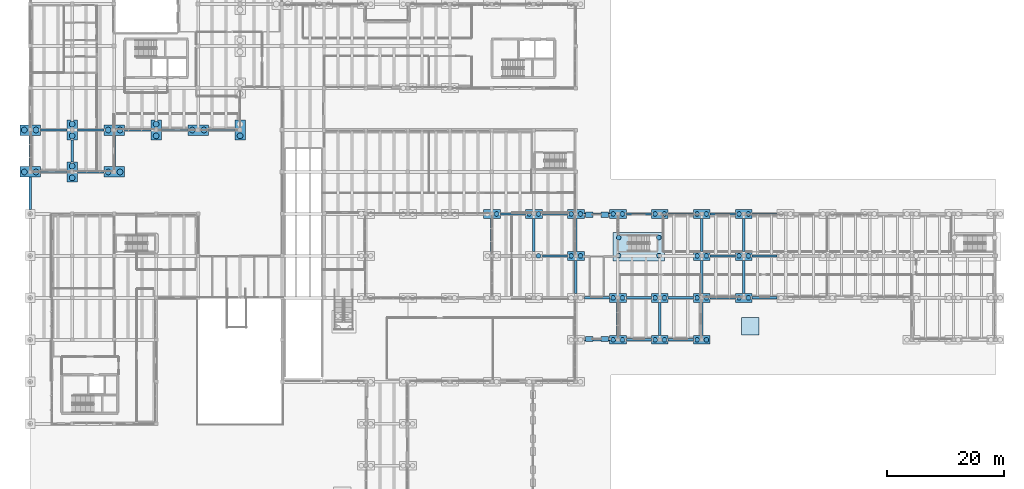
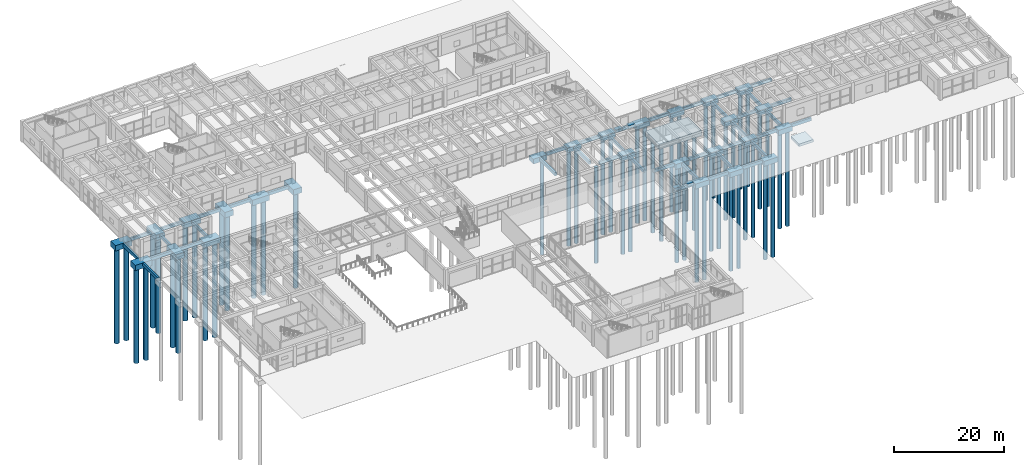
# One storey, part 2 of 155: 72 footings, 55 piles.
"""IFC4 building model written with IfcOpenShell, lengths in metres."""

import ifcopenshell
import ifcopenshell.guid

model = None  # the IFC model being written
_history = None  # IfcOwnerHistory: only IFC2X3 demands one
_inside = {}  # id of a spatial element -> (the spatial element, [elements in it])
_under = {}  # id of a project, library or spatial element -> (it, [spatial elements below it])
_declared = {}  # id of a project -> (the project, [libraries it declares])
_typed = {}  # id of a type object -> (the type object, [elements of that type])
_made_of = {}  # id of a material, layer set ... -> (it, [elements and type objects made of it])


def new_model(schema):
    """Start an empty IFC model of exactly this schema.

    Asked for "IFC4X3", IfcOpenShell would pick the latest addendum, in which some entities
    have other attributes; the version numbers below select the first issue.
    IFC2X3 requires an IfcOwnerHistory on every rooted entity: one is made here for all.
    """
    global model, _history
    if schema == "IFC4X3":
        model = ifcopenshell.file(schema_version=(4, 3, 0, 0))
    else:
        model = ifcopenshell.file(schema=schema)
    _inside.clear()
    _under.clear()
    _declared.clear()
    _typed.clear()
    _made_of.clear()
    _history = None
    if model.schema == "IFC2X3":
        org = make("IfcOrganization", Name="unknown")
        user = make(
            "IfcPersonAndOrganization",
            ThePerson=make("IfcPerson", FamilyName="unknown"),
            TheOrganization=org,
        )
        app = make(
            "IfcApplication",
            ApplicationDeveloper=org,
            Version="unknown",
            ApplicationFullName="unknown",
            ApplicationIdentifier="unknown",
        )
        _history = make(
            "IfcOwnerHistory",
            OwningUser=user,
            OwningApplication=app,
            ChangeAction="ADDED",
            CreationDate=0,
        )
    return model


def make(cls, **values):
    """One entity of the class cls with the attributes given. An attribute that is None is left unset."""
    return model.create_entity(
        cls, **{name: value for name, value in values.items() if value is not None}
    )


def rooted(cls, **values):
    """An entity with a GlobalId (a new one), such as an element, a storey or a relation."""
    return make(cls, GlobalId=ifcopenshell.guid.new(), OwnerHistory=_history, **values)


def si_unit(unit_type, name, prefix=None):
    """IfcSIUnit, for example si_unit("LENGTHUNIT", "METRE", prefix="MILLI")."""
    return make("IfcSIUnit", UnitType=unit_type, Prefix=prefix, Name=name)


def assignment(units):
    """IfcUnitAssignment: the units of a project."""
    return None if units is None else make("IfcUnitAssignment", Units=units)


def point(xyz):
    """IfcCartesianPoint."""
    return None if xyz is None else make("IfcCartesianPoint", Coordinates=xyz)


def direction(xyz):
    """IfcDirection."""
    return None if xyz is None else make("IfcDirection", DirectionRatios=xyz)


def frame(location, z_axis=None, x_axis=None):
    """IfcAxis2Placement3D, a coordinate frame: its origin and axes. An axis left out is left unset."""
    return make(
        "IfcAxis2Placement3D",
        Location=point(location),
        Axis=direction(z_axis),
        RefDirection=direction(x_axis),
    )


def frame_2d(location, x_axis=None):
    """IfcAxis2Placement2D, a coordinate frame in the plane: its origin and x axis."""
    return make(
        "IfcAxis2Placement2D", Location=point(location), RefDirection=direction(x_axis)
    )


def origin():
    """The frame at (0, 0, 0) with its axes left unset."""
    return frame((0.0, 0.0, 0.0))


def origin_2d():
    """The frame at (0, 0) in the plane with its x axis left unset."""
    return frame_2d((0.0, 0.0))


def place(relative_to, where):
    """IfcLocalPlacement: puts the frame where relative to a parent placement (None: the world)."""
    return make(
        "IfcLocalPlacement", PlacementRelTo=relative_to, RelativePlacement=where
    )


def context(
    kind, dimensions, precision=None, world=None, true_north=None, identifier=None
):
    """IfcGeometricRepresentationContext, for example the 3D "Model" context."""
    return make(
        "IfcGeometricRepresentationContext",
        ContextIdentifier=identifier,
        ContextType=kind,
        CoordinateSpaceDimension=dimensions,
        Precision=precision,
        WorldCoordinateSystem=world,
        TrueNorth=true_north,
    )


def subcontext(parent, identifier, kind, view, scale=None):
    """IfcGeometricRepresentationSubContext, for example "Body" below "Model"."""
    return make(
        "IfcGeometricRepresentationSubContext",
        ContextIdentifier=identifier,
        ContextType=kind,
        ParentContext=parent,
        TargetScale=scale,
        TargetView=view,
    )


def project(units=None, contexts=None):
    """IfcProject with its units and contexts."""
    return rooted(
        "IfcProject",
        Name="project",
        RepresentationContexts=contexts,
        UnitsInContext=assignment(units),
    )


def spatial(cls, under=None, at=None, **own):
    """A site, building, storey or space (cls), placed at a placement, below another one or the project."""
    s = rooted(cls, ObjectPlacement=at, **own)
    if under is not None:
        _under.setdefault(under.id(), (under, []))[1].append(s)
    return s


def profile(cls, at=None, kind="AREA", **sizes):
    """A parametric profile (cls). Its sizes go by their IFC names, for example OverallWidth=200.0."""
    return make(cls, ProfileType=kind, Position=at, **sizes)


def rectangle(**sizes):
    """IfcRectangleProfileDef."""
    return profile("IfcRectangleProfileDef", **sizes)


def circle(**sizes):
    """IfcCircleProfileDef."""
    return profile("IfcCircleProfileDef", **sizes)


def extrude(swept, where, along, depth):
    """IfcExtrudedAreaSolid: the profile swept, set in the frame where, extruded along a direction by depth."""
    return make(
        "IfcExtrudedAreaSolid",
        SweptArea=swept,
        Position=where,
        ExtrudedDirection=direction(along),
        Depth=depth,
    )


def shape(context_of_items, identifier, shape_type, items):
    """IfcShapeRepresentation: the items that make up one representation, for example the "Body"."""
    return make(
        "IfcShapeRepresentation",
        ContextOfItems=context_of_items,
        RepresentationIdentifier=identifier,
        RepresentationType=shape_type,
        Items=items,
    )


def material(Name=None, Category=None):
    """IfcMaterial."""
    return make("IfcMaterial", Name=Name, Category=Category)


def material_profile(
    of_material, cross_section, Name=None, Category=None, Priority=None
):
    """IfcMaterialProfile: a cross section and its material."""
    return make(
        "IfcMaterialProfile",
        Name=Name,
        Material=of_material,
        Profile=cross_section,
        Priority=Priority,
        Category=Category,
    )


def profile_set(profiles, Name=None, composite=None):
    """IfcMaterialProfileSet."""
    return make(
        "IfcMaterialProfileSet",
        Name=Name,
        MaterialProfiles=profiles,
        CompositeProfile=composite,
    )


def made_of(thing, what):
    """Note that an element or type object is made of a material, layer set ...; save() writes the relation."""
    if what is not None:
        _made_of.setdefault(what.id(), (what, []))[1].append(thing)
    return thing


def type_object(cls, material=None, **own):
    """A type object (cls), such as IfcWallType, which elements share."""
    return made_of(rooted(cls, **own), material)


def element(
    cls,
    number,
    at=None,
    inside=None,
    cuts=None,
    type_object=None,
    material=None,
    context=None,
    identifier="Body",
    shape_type=None,
    held_by="IfcProductDefinitionShape",
    body=None,
    shapes=None,
    **own,
):
    """One element of the class cls, such as IfcWall. Its Tag is "e" and its number.

    at: its placement. inside: the storey or other place that contains it. cuts: it is an
    opening in that element (IfcRelVoidsElement). A single representation is given by context,
    identifier, shape_type and body (its items); several are given by shapes. held_by: the class
    of the entity that holds the representations. save() writes the other relations.
    """
    e = rooted(cls, Tag="e%d" % number, ObjectPlacement=at, **own)
    if body is not None:
        shapes = [shape(context, identifier, shape_type, body)]
    if shapes is not None:
        e.Representation = make(held_by, Representations=shapes)
    if inside is not None:
        _inside.setdefault(inside.id(), (inside, []))[1].append(e)
    if cuts is not None:
        rooted(
            "IfcRelVoidsElement", RelatingBuildingElement=cuts, RelatedOpeningElement=e
        )
    if type_object is not None:
        _typed.setdefault(type_object.id(), (type_object, []))[1].append(e)
    return made_of(e, material)


def aggregate(whole, parts):
    """IfcRelAggregates: a whole, such as a stair, and the parts it consists of."""
    return rooted("IfcRelAggregates", RelatingObject=whole, RelatedObjects=parts)


def save(model, path):
    """Write the relations noted so far, then the file.

    IfcRelAggregates (storeys below a building ...), IfcRelContainedInSpatialStructure (elements
    in a storey), IfcRelDefinesByType, IfcRelAssociatesMaterial and IfcRelDeclares: one each for
    every whole, place, type object, material and project.
    """
    for whole, parts in _under.values():
        aggregate(whole, parts)
    for where, things in _inside.values():
        rooted(
            "IfcRelContainedInSpatialStructure",
            RelatedElements=things,
            RelatingStructure=where,
        )
    for kind, things in _typed.values():
        rooted("IfcRelDefinesByType", RelatedObjects=things, RelatingType=kind)
    for what, things in _made_of.values():
        rooted("IfcRelAssociatesMaterial", RelatedObjects=things, RelatingMaterial=what)
    for by, libraries in _declared.values():
        rooted("IfcRelDeclares", RelatingContext=by, RelatedDefinitions=libraries)
    model.write(path)


model = new_model("IFC4")

# Units and contexts
model_context = context("Model", 3, precision=1e-05, world=origin(), true_north=direction((0.0, 1.0)))
body_context = subcontext(model_context, "Body", "Model", "MODEL_VIEW")
ifc_project = project(units=[si_unit("LENGTHUNIT", "METRE"), si_unit("AREAUNIT", "SQUARE_METRE"), si_unit("VOLUMEUNIT", "CUBIC_METRE"), si_unit("PLANEANGLEUNIT", "RADIAN"), si_unit("MASSUNIT", "GRAM", prefix="KILO")], contexts=[model_context])

# Site, building, storey
site_placement = place(None, origin())
site = spatial("IfcSite", under=ifc_project, at=site_placement, CompositionType="ELEMENT")
building_placement = place(site_placement, origin())
building = spatial("IfcBuilding", under=site, at=building_placement, Name="Bramvelor Terrace Health Centre", CompositionType="ELEMENT")
storey_placement = place(building_placement, origin())
storey = spatial("IfcBuildingStorey", under=building, at=storey_placement, Name="L01", CompositionType="ELEMENT", Elevation=0.0)

# Footings
ifc_material_1 = material(Name="Concrete C40/50", Category="concrete")
ifc_material_profile_1 = material_profile(ifc_material_1, rectangle(XDim=0.39990234375, YDim=0.699951171875, at=origin_2d()), Name="RC 400x700")
ifc_profile_set_1 = profile_set([ifc_material_profile_1], Name="Concrete C40/50")
footing_type_1 = type_object("IfcFootingType", Name="FTG-FB-400x700", PredefinedType="FOOTING_BEAM", material=ifc_profile_set_1)
footing_1_placement = place(storey_placement, frame((0.0, 65.60009765625, -0.60009765625), z_axis=(0.0, 1.0, 0.0), x_axis=(-1.0, 0.0, 0.0)))
element("IfcFooting", 1, at=footing_1_placement, inside=storey, type_object=footing_type_1, Name="L01 Ground Tie Beam Y (0.0, 64.8)", PredefinedType="FOOTING_BEAM", context=body_context, shape_type="SweptSolid", body=[
    extrude(rectangle(XDim=0.39990234375, YDim=0.699951171875, at=origin_2d()), origin(), (0.0, 0.0, 1.0), 5.5),
])
footing_2_placement = place(storey_placement, frame((1.75, 72.0, -0.60009765625), z_axis=(1.0, 0.0, 0.0), x_axis=(0.0, 1.0, 0.0)))
element("IfcFooting", 2, at=footing_2_placement, inside=storey, type_object=footing_type_1, Name="L01 Ground Tie Beam X (0.0, 72.0)", PredefinedType="FOOTING_BEAM", context=body_context, shape_type="SweptSolid", body=[
    extrude(rectangle(XDim=0.39990234375, YDim=0.699951171875, at=origin_2d()), origin(), (0.0, 0.0, 1.0), 4.550048828125),
])
footing_3_placement = place(storey_placement, frame((0.0, 72.89990234375, -0.60009765625), z_axis=(0.0, 1.0, 0.0), x_axis=(-1.0, 0.0, 0.0)))
element("IfcFooting", 3, at=footing_3_placement, inside=storey, type_object=footing_type_1, Name="L01 Ground Tie Beam Y (0.0, 72.0)", PredefinedType="FOOTING_BEAM", context=body_context, shape_type="SweptSolid", body=[
    extrude(rectangle(XDim=0.39990234375, YDim=0.699951171875, at=origin_2d()), origin(), (0.0, 0.0, 1.0), 5.400146484375),
])
footing_4_placement = place(storey_placement, frame((1.75, 79.199951171875, -0.60009765625), z_axis=(1.0, 0.0, 0.0), x_axis=(0.0, 1.0, 0.0)))
element("IfcFooting", 4, at=footing_4_placement, inside=storey, type_object=footing_type_1, Name="L01 Ground Tie Beam X (0.0, 79.2)", PredefinedType="FOOTING_BEAM", context=body_context, shape_type="SweptSolid", body=[
    extrude(rectangle(XDim=0.39990234375, YDim=0.699951171875, at=origin_2d()), origin(), (0.0, 0.0, 1.0), 4.550048828125),
])
footing_5_placement = place(storey_placement, frame((8.10009765625, 72.0, -0.60009765625), z_axis=(1.0, 0.0, 0.0), x_axis=(0.0, 1.0, 0.0)))
element("IfcFooting", 5, at=footing_5_placement, inside=storey, type_object=footing_type_1, Name="L01 Ground Tie Beam X (7.2, 72.0)", PredefinedType="FOOTING_BEAM", context=body_context, shape_type="SweptSolid", body=[
    extrude(rectangle(XDim=0.39990234375, YDim=0.699951171875, at=origin_2d()), origin(), (0.0, 0.0, 1.0), 4.5498046875),
])
footing_6_placement = place(storey_placement, frame((7.199951171875, 73.75, -0.60009765625), z_axis=(0.0, 1.0, 0.0), x_axis=(-1.0, 0.0, 0.0)))
element("IfcFooting", 6, at=footing_6_placement, inside=storey, type_object=footing_type_1, Name="L01 Ground Tie Beam Y (7.2, 72.0)", PredefinedType="FOOTING_BEAM", context=body_context, shape_type="SweptSolid", body=[
    extrude(rectangle(XDim=0.39990234375, YDim=0.699951171875, at=origin_2d()), origin(), (0.0, 0.0, 1.0), 3.699951171875),
])
footing_7_placement = place(storey_placement, frame((8.10009765625, 79.199951171875, -0.60009765625), z_axis=(1.0, 0.0, 0.0), x_axis=(0.0, 1.0, 0.0)))
element("IfcFooting", 7, at=footing_7_placement, inside=storey, type_object=footing_type_1, Name="L01 Ground Tie Beam X (7.2, 79.2)", PredefinedType="FOOTING_BEAM", context=body_context, shape_type="SweptSolid", body=[
    extrude(rectangle(XDim=0.39990234375, YDim=0.699951171875, at=origin_2d()), origin(), (0.0, 0.0, 1.0), 4.5498046875),
])
footing_8_placement = place(storey_placement, frame((14.39990234375, 72.89990234375, -0.60009765625), z_axis=(0.0, 1.0, 0.0), x_axis=(-1.0, 0.0, 0.0)))
element("IfcFooting", 8, at=footing_8_placement, inside=storey, type_object=footing_type_1, Name="L01 Ground Tie Beam Y (14.4, 72.0)", PredefinedType="FOOTING_BEAM", context=body_context, shape_type="SweptSolid", body=[
    extrude(rectangle(XDim=0.39990234375, YDim=0.699951171875, at=origin_2d()), origin(), (0.0, 0.0, 1.0), 5.400146484375),
])
for number, where, z_axis, x_axis, name in (
    (9, (16.14990234375, 79.199951171875, -0.60009765625), (1.0, 0.0, 0.0), (0.0, 1.0, 0.0), "L01 Ground Tie Beam X (14.4, 79.2)"),
    (10, (22.5, 79.199951171875, -0.60009765625), (1.0, 0.0, 0.0), (0.0, 1.0, 0.0), "L01 Ground Tie Beam X (21.6, 79.2)"),
    (11, (30.550048828125, 79.199951171875, -0.60009765625), (1.0, 0.0, 0.0), (0.0, 1.0, 0.0), "L01 Ground Tie Beam X (28.8, 79.2)"),
):
    element("IfcFooting", number, at=place(storey_placement, frame(where, z_axis=z_axis, x_axis=x_axis)), inside=storey, type_object=footing_type_1, Name=name, PredefinedType="FOOTING_BEAM", context=body_context, shape_type="SweptSolid", body=[
        extrude(rectangle(XDim=0.39990234375, YDim=0.699951171875, at=origin_2d()), origin(), (0.0, 0.0, 1.0), 4.550048828125),
    ])
footing_9_placement = place(storey_placement, frame((79.199951171875, 58.35009765625, -0.60009765625), z_axis=(0.0, 1.0, 0.0), x_axis=(-1.0, 0.0, 0.0)))
element("IfcFooting", 12, at=footing_9_placement, inside=storey, type_object=footing_type_1, Name="L01 Ground Tie Beam Y (79.2, 57.6)", PredefinedType="FOOTING_BEAM", context=body_context, shape_type="SweptSolid", body=[
    extrude(rectangle(XDim=0.39990234375, YDim=0.699951171875, at=origin_2d()), origin(), (0.0, 0.0, 1.0), 5.699951171875),
])
footing_10_placement = place(storey_placement, frame((80.64990234375, 64.800048828125, -0.60009765625), z_axis=(1.0, 0.0, 0.0), x_axis=(0.0, 1.0, 0.0)))
element("IfcFooting", 13, at=footing_10_placement, inside=storey, type_object=footing_type_1, Name="L01 Ground Tie Beam X (79.2, 64.8)", PredefinedType="FOOTING_BEAM", context=body_context, shape_type="SweptSolid", body=[
    extrude(rectangle(XDim=0.39990234375, YDim=0.699951171875, at=origin_2d()), origin(), (0.0, 0.0, 1.0), 4.300048828125),
])
footing_11_placement = place(storey_placement, frame((87.85009765625, 57.60009765625, -0.60009765625), z_axis=(1.0, 0.0, 0.0), x_axis=(0.0, 1.0, 0.0)))
element("IfcFooting", 14, at=footing_11_placement, inside=storey, type_object=footing_type_1, Name="L01 Ground Tie Beam X (86.4, 57.6)", PredefinedType="FOOTING_BEAM", context=body_context, shape_type="SweptSolid", body=[
    extrude(rectangle(XDim=0.39990234375, YDim=0.699951171875, at=origin_2d()), origin(), (0.0, 0.0, 1.0), 4.2998046875),
])
footing_12_placement = place(storey_placement, frame((86.39990234375, 58.35009765625, -0.60009765625), z_axis=(0.0, 1.0, 0.0), x_axis=(-1.0, 0.0, 0.0)))
element("IfcFooting", 15, at=footing_12_placement, inside=storey, type_object=footing_type_1, Name="L01 Ground Tie Beam Y (86.4, 57.6)", PredefinedType="FOOTING_BEAM", context=body_context, shape_type="SweptSolid", body=[
    extrude(rectangle(XDim=0.39990234375, YDim=0.699951171875, at=origin_2d()), origin(), (0.0, 0.0, 1.0), 5.699951171875),
])
footing_13_placement = place(storey_placement, frame((87.85009765625, 64.800048828125, -0.60009765625), z_axis=(1.0, 0.0, 0.0), x_axis=(0.0, 1.0, 0.0)))
element("IfcFooting", 16, at=footing_13_placement, inside=storey, type_object=footing_type_1, Name="L01 Ground Tie Beam X (86.4, 64.8)", PredefinedType="FOOTING_BEAM", context=body_context, shape_type="SweptSolid", body=[
    extrude(rectangle(XDim=0.39990234375, YDim=0.699951171875, at=origin_2d()), origin(), (0.0, 0.0, 1.0), 4.2998046875),
])
for number, where, z_axis, x_axis, name in (
    (17, (95.050048828125, 43.199951171875, -0.60009765625), (1.0, 0.0, 0.0), (0.0, 1.0, 0.0), "L01 Ground Tie Beam X (93.6, 43.2)"),
    (18, (95.050048828125, 50.39990234375, -0.60009765625), (1.0, 0.0, 0.0), (0.0, 1.0, 0.0), "L01 Ground Tie Beam X (93.6, 50.4)"),
):
    element("IfcFooting", number, at=place(storey_placement, frame(where, z_axis=z_axis, x_axis=x_axis)), inside=storey, type_object=footing_type_1, Name=name, PredefinedType="FOOTING_BEAM", context=body_context, shape_type="SweptSolid", body=[
        extrude(rectangle(XDim=0.39990234375, YDim=0.699951171875, at=origin_2d()), origin(), (0.0, 0.0, 1.0), 4.300048828125),
    ])
footing_14_placement = place(storey_placement, frame((93.60009765625, 51.14990234375, -0.60009765625), z_axis=(0.0, 1.0, 0.0), x_axis=(-1.0, 0.0, 0.0)))
element("IfcFooting", 19, at=footing_14_placement, inside=storey, type_object=footing_type_1, Name="L01 Ground Tie Beam Y (93.6, 50.4)", PredefinedType="FOOTING_BEAM", context=body_context, shape_type="SweptSolid", body=[
    extrude(rectangle(XDim=0.39990234375, YDim=0.699951171875, at=origin_2d()), origin(), (0.0, 0.0, 1.0), 5.7001953125),
])
footing_15_placement = place(storey_placement, frame((93.60009765625, 58.35009765625, -0.60009765625), z_axis=(0.0, 1.0, 0.0), x_axis=(-1.0, 0.0, 0.0)))
element("IfcFooting", 20, at=footing_15_placement, inside=storey, type_object=footing_type_1, Name="L01 Ground Tie Beam Y (93.6, 57.6)", PredefinedType="FOOTING_BEAM", context=body_context, shape_type="SweptSolid", body=[
    extrude(rectangle(XDim=0.39990234375, YDim=0.699951171875, at=origin_2d()), origin(), (0.0, 0.0, 1.0), 5.699951171875),
])
for number, where, z_axis, x_axis, name in (
    (21, (95.050048828125, 64.800048828125, -0.60009765625), (1.0, 0.0, 0.0), (0.0, 1.0, 0.0), "L01 Ground Tie Beam X (93.6, 64.8)"),
    (22, (102.25, 43.199951171875, -0.60009765625), (1.0, 0.0, 0.0), (0.0, 1.0, 0.0), "L01 Ground Tie Beam X (100.8, 43.2)"),
):
    element("IfcFooting", number, at=place(storey_placement, frame(where, z_axis=z_axis, x_axis=x_axis)), inside=storey, type_object=footing_type_1, Name=name, PredefinedType="FOOTING_BEAM", context=body_context, shape_type="SweptSolid", body=[
        extrude(rectangle(XDim=0.39990234375, YDim=0.699951171875, at=origin_2d()), origin(), (0.0, 0.0, 1.0), 4.300048828125),
    ])
footing_16_placement = place(storey_placement, frame((100.800048828125, 43.949951171875, -0.60009765625), z_axis=(0.0, 1.0, 0.0), x_axis=(-1.0, 0.0, 0.0)))
element("IfcFooting", 23, at=footing_16_placement, inside=storey, type_object=footing_type_1, Name="L01 Ground Tie Beam Y (100.8, 43.2)", PredefinedType="FOOTING_BEAM", context=body_context, shape_type="SweptSolid", body=[
    extrude(rectangle(XDim=0.39990234375, YDim=0.699951171875, at=origin_2d()), origin(), (0.0, 0.0, 1.0), 5.699951171875),
])
for number, where, z_axis, x_axis, name in (
    (24, (102.25, 50.39990234375, -0.60009765625), (1.0, 0.0, 0.0), (0.0, 1.0, 0.0), "L01 Ground Tie Beam X (100.8, 50.4)"),
    (25, (102.25, 64.800048828125, -0.60009765625), (1.0, 0.0, 0.0), (0.0, 1.0, 0.0), "L01 Ground Tie Beam X (100.8, 64.8)"),
    (26, (109.449951171875, 43.199951171875, -0.60009765625), (1.0, 0.0, 0.0), (0.0, 1.0, 0.0), "L01 Ground Tie Beam X (108.0, 43.2)"),
):
    element("IfcFooting", number, at=place(storey_placement, frame(where, z_axis=z_axis, x_axis=x_axis)), inside=storey, type_object=footing_type_1, Name=name, PredefinedType="FOOTING_BEAM", context=body_context, shape_type="SweptSolid", body=[
        extrude(rectangle(XDim=0.39990234375, YDim=0.699951171875, at=origin_2d()), origin(), (0.0, 0.0, 1.0), 4.300048828125),
    ])
footing_17_placement = place(storey_placement, frame((108.0, 43.949951171875, -0.60009765625), z_axis=(0.0, 1.0, 0.0), x_axis=(-1.0, 0.0, 0.0)))
element("IfcFooting", 27, at=footing_17_placement, inside=storey, type_object=footing_type_1, Name="L01 Ground Tie Beam Y (108.0, 43.2)", PredefinedType="FOOTING_BEAM", context=body_context, shape_type="SweptSolid", body=[
    extrude(rectangle(XDim=0.39990234375, YDim=0.699951171875, at=origin_2d()), origin(), (0.0, 0.0, 1.0), 5.699951171875),
])
for number, where, z_axis, x_axis, name in (
    (28, (109.449951171875, 50.39990234375, -0.60009765625), (1.0, 0.0, 0.0), (0.0, 1.0, 0.0), "L01 Ground Tie Beam X (108.0, 50.4)"),
    (29, (109.449951171875, 64.800048828125, -0.60009765625), (1.0, 0.0, 0.0), (0.0, 1.0, 0.0), "L01 Ground Tie Beam X (108.0, 64.8)"),
):
    element("IfcFooting", number, at=place(storey_placement, frame(where, z_axis=z_axis, x_axis=x_axis)), inside=storey, type_object=footing_type_1, Name=name, PredefinedType="FOOTING_BEAM", context=body_context, shape_type="SweptSolid", body=[
        extrude(rectangle(XDim=0.39990234375, YDim=0.699951171875, at=origin_2d()), origin(), (0.0, 0.0, 1.0), 4.300048828125),
    ])
footing_18_placement = place(storey_placement, frame((115.199951171875, 43.949951171875, -0.60009765625), z_axis=(0.0, 1.0, 0.0), x_axis=(-1.0, 0.0, 0.0)))
element("IfcFooting", 30, at=footing_18_placement, inside=storey, type_object=footing_type_1, Name="L01 Ground Tie Beam Y (115.2, 43.2)", PredefinedType="FOOTING_BEAM", context=body_context, shape_type="SweptSolid", body=[
    extrude(rectangle(XDim=0.39990234375, YDim=0.699951171875, at=origin_2d()), origin(), (0.0, 0.0, 1.0), 5.699951171875),
])
footing_19_placement = place(storey_placement, frame((116.64990234375, 50.39990234375, -0.60009765625), z_axis=(1.0, 0.0, 0.0), x_axis=(0.0, 1.0, 0.0)))
element("IfcFooting", 31, at=footing_19_placement, inside=storey, type_object=footing_type_1, Name="L01 Ground Tie Beam X (115.2, 50.4)", PredefinedType="FOOTING_BEAM", context=body_context, shape_type="SweptSolid", body=[
    extrude(rectangle(XDim=0.39990234375, YDim=0.699951171875, at=origin_2d()), origin(), (0.0, 0.0, 1.0), 4.300048828125),
])
footing_20_placement = place(storey_placement, frame((115.199951171875, 51.14990234375, -0.60009765625), z_axis=(0.0, 1.0, 0.0), x_axis=(-1.0, 0.0, 0.0)))
element("IfcFooting", 32, at=footing_20_placement, inside=storey, type_object=footing_type_1, Name="L01 Ground Tie Beam Y (115.2, 50.4)", PredefinedType="FOOTING_BEAM", context=body_context, shape_type="SweptSolid", body=[
    extrude(rectangle(XDim=0.39990234375, YDim=0.699951171875, at=origin_2d()), origin(), (0.0, 0.0, 1.0), 5.7001953125),
])
footing_21_placement = place(storey_placement, frame((116.64990234375, 57.60009765625, -0.60009765625), z_axis=(1.0, 0.0, 0.0), x_axis=(0.0, 1.0, 0.0)))
element("IfcFooting", 33, at=footing_21_placement, inside=storey, type_object=footing_type_1, Name="L01 Ground Tie Beam X (115.2, 57.6)", PredefinedType="FOOTING_BEAM", context=body_context, shape_type="SweptSolid", body=[
    extrude(rectangle(XDim=0.39990234375, YDim=0.699951171875, at=origin_2d()), origin(), (0.0, 0.0, 1.0), 4.300048828125),
])
footing_22_placement = place(storey_placement, frame((115.199951171875, 58.35009765625, -0.60009765625), z_axis=(0.0, 1.0, 0.0), x_axis=(-1.0, 0.0, 0.0)))
element("IfcFooting", 34, at=footing_22_placement, inside=storey, type_object=footing_type_1, Name="L01 Ground Tie Beam Y (115.2, 57.6)", PredefinedType="FOOTING_BEAM", context=body_context, shape_type="SweptSolid", body=[
    extrude(rectangle(XDim=0.39990234375, YDim=0.699951171875, at=origin_2d()), origin(), (0.0, 0.0, 1.0), 5.699951171875),
])
footing_23_placement = place(storey_placement, frame((116.64990234375, 64.800048828125, -0.60009765625), z_axis=(1.0, 0.0, 0.0), x_axis=(0.0, 1.0, 0.0)))
element("IfcFooting", 35, at=footing_23_placement, inside=storey, type_object=footing_type_1, Name="L01 Ground Tie Beam X (115.2, 64.8)", PredefinedType="FOOTING_BEAM", context=body_context, shape_type="SweptSolid", body=[
    extrude(rectangle(XDim=0.39990234375, YDim=0.699951171875, at=origin_2d()), origin(), (0.0, 0.0, 1.0), 4.300048828125),
])
footing_24_placement = place(storey_placement, frame((123.85009765625, 50.39990234375, -0.60009765625), z_axis=(1.0, 0.0, 0.0), x_axis=(0.0, 1.0, 0.0)))
element("IfcFooting", 36, at=footing_24_placement, inside=storey, type_object=footing_type_1, Name="L01 Ground Tie Beam X (122.4, 50.4)", PredefinedType="FOOTING_BEAM", context=body_context, shape_type="SweptSolid", body=[
    extrude(rectangle(XDim=0.39990234375, YDim=0.699951171875, at=origin_2d()), origin(), (0.0, 0.0, 1.0), 4.2998046875),
])
footing_25_placement = place(storey_placement, frame((122.39990234375, 51.14990234375, -0.60009765625), z_axis=(0.0, 1.0, 0.0), x_axis=(-1.0, 0.0, 0.0)))
element("IfcFooting", 37, at=footing_25_placement, inside=storey, type_object=footing_type_1, Name="L01 Ground Tie Beam Y (122.4, 50.4)", PredefinedType="FOOTING_BEAM", context=body_context, shape_type="SweptSolid", body=[
    extrude(rectangle(XDim=0.39990234375, YDim=0.699951171875, at=origin_2d()), origin(), (0.0, 0.0, 1.0), 5.7001953125),
])
footing_26_placement = place(storey_placement, frame((123.85009765625, 57.60009765625, -0.60009765625), z_axis=(1.0, 0.0, 0.0), x_axis=(0.0, 1.0, 0.0)))
element("IfcFooting", 38, at=footing_26_placement, inside=storey, type_object=footing_type_1, Name="L01 Ground Tie Beam X (122.4, 57.6)", PredefinedType="FOOTING_BEAM", context=body_context, shape_type="SweptSolid", body=[
    extrude(rectangle(XDim=0.39990234375, YDim=0.699951171875, at=origin_2d()), origin(), (0.0, 0.0, 1.0), 4.2998046875),
])
footing_27_placement = place(storey_placement, frame((122.39990234375, 58.35009765625, -0.60009765625), z_axis=(0.0, 1.0, 0.0), x_axis=(-1.0, 0.0, 0.0)))
element("IfcFooting", 39, at=footing_27_placement, inside=storey, type_object=footing_type_1, Name="L01 Ground Tie Beam Y (122.4, 57.6)", PredefinedType="FOOTING_BEAM", context=body_context, shape_type="SweptSolid", body=[
    extrude(rectangle(XDim=0.39990234375, YDim=0.699951171875, at=origin_2d()), origin(), (0.0, 0.0, 1.0), 5.699951171875),
])
footing_28_placement = place(storey_placement, frame((123.85009765625, 64.800048828125, -0.60009765625), z_axis=(1.0, 0.0, 0.0), x_axis=(0.0, 1.0, 0.0)))
element("IfcFooting", 40, at=footing_28_placement, inside=storey, type_object=footing_type_1, Name="L01 Ground Tie Beam X (122.4, 64.8)", PredefinedType="FOOTING_BEAM", context=body_context, shape_type="SweptSolid", body=[
    extrude(rectangle(XDim=0.39990234375, YDim=0.699951171875, at=origin_2d()), origin(), (0.0, 0.0, 1.0), 4.2998046875),
])
ifc_material_2 = material(Name="Concrete C40/50", Category="concrete")
footing_type_2 = type_object("IfcFootingType", Name="FTG-PAD-GATE", PredefinedType="PAD_FOOTING", material=ifc_material_2)
for number, where, z_axis, x_axis, name in (
    (41, (95.8701171875, 43.330078125, -0.60009765625), (0.0, 0.0, 1.0), (1.0, 0.0, 0.0), "Service Yard Gate Pad Footing 5A"),
    (42, (98.530029296875, 43.330078125, -0.60009765625), (0.0, 0.0, 1.0), (1.0, 0.0, 0.0), "Service Yard Gate Pad Footing 5B"),
    (43, (95.8701171875, 64.669921875, -0.60009765625), (0.0, 0.0, 1.0), (1.0, 0.0, 0.0), "Service Yard Gate Pad Footing 6A"),
    (44, (98.530029296875, 64.669921875, -0.60009765625), (0.0, 0.0, 1.0), (1.0, 0.0, 0.0), "Service Yard Gate Pad Footing 6B"),
):
    element("IfcFooting", number, at=place(storey_placement, frame(where, z_axis=z_axis, x_axis=x_axis)), inside=storey, type_object=footing_type_2, Name=name, PredefinedType="PAD_FOOTING", context=body_context, shape_type="SweptSolid", body=[
        extrude(rectangle(XDim=1.300048828125, YDim=0.89990234375, at=origin_2d()), origin(), (0.0, 0.0, 1.0), 0.60009765625),
    ])
ifc_material_3 = material(Name="Concrete C40/50", Category="concrete")
footing_type_3 = type_object("IfcFootingType", Name="FTG-PAD-RMP", PredefinedType="PAD_FOOTING", material=ifc_material_3)
footing_29_placement = place(storey_placement, frame((123.5, 45.5, -0.77490234375), z_axis=(0.0, 0.0, 1.0), x_axis=(1.0, 0.0, 0.0)))
element("IfcFooting", 45, at=footing_29_placement, inside=storey, type_object=footing_type_3, Name="Accessible Ramp PR4 Pad Foundation", PredefinedType="PAD_FOOTING", context=body_context, shape_type="SweptSolid", body=[
    extrude(rectangle(XDim=3.0, YDim=3.0, at=origin_2d()), origin(), (0.0, 0.0, 1.0), 0.550048828125),
])
ifc_material_4 = material(Name="Concrete C40/50", Category="concrete")
footing_type_4 = type_object("IfcFootingType", Name="FTG-PC-2PX-1000", PredefinedType="PILE_CAP", material=ifc_material_4)
for number, where, z_axis, x_axis, name in (
    (46, (0.0, 72.0, -1.4501953125), (0.0, 0.0, 1.0), (1.0, 0.0, 0.0), "L01 Pile Cap (0.0, 72.0)"),
    (47, (0.0, 79.199951171875, -1.4501953125), (0.0, 0.0, 1.0), (1.0, 0.0, 0.0), "L01 Pile Cap (0.0, 79.2)"),
    (48, (14.39990234375, 72.0, -1.4501953125), (0.0, 0.0, 1.0), (1.0, 0.0, 0.0), "L01 Pile Cap (14.4, 72.0)"),
    (49, (14.39990234375, 79.199951171875, -1.4501953125), (0.0, 0.0, 1.0), (1.0, 0.0, 0.0), "L01 Pile Cap (14.4, 79.2)"),
    (50, (28.800048828125, 79.199951171875, -1.4501953125), (0.0, 0.0, 1.0), (1.0, 0.0, 0.0), "L01 Pile Cap (28.8, 79.2)"),
):
    element("IfcFooting", number, at=place(storey_placement, frame(where, z_axis=z_axis, x_axis=x_axis)), inside=storey, type_object=footing_type_4, Name=name, PredefinedType="PILE_CAP", context=body_context, shape_type="SweptSolid", body=[
        extrude(rectangle(XDim=3.5, YDim=1.800048828125, at=origin_2d()), origin(), (0.0, 0.0, 1.0), 1.199951171875),
    ])
ifc_material_5 = material(Name="Concrete C40/50", Category="concrete")
footing_type_5 = type_object("IfcFootingType", Name="FTG-PC-2PX-800", PredefinedType="PILE_CAP", material=ifc_material_5)
for number, where, z_axis, x_axis, name in (
    (51, (79.199951171875, 64.800048828125, -1.35009765625), (0.0, 0.0, 1.0), (1.0, 0.0, 0.0), "L01 Pile Cap (79.2, 64.8)"),
    (52, (86.39990234375, 64.800048828125, -1.35009765625), (0.0, 0.0, 1.0), (1.0, 0.0, 0.0), "L01 Pile Cap (86.4, 64.8)"),
    (53, (93.60009765625, 57.60009765625, -1.35009765625), (0.0, 0.0, 1.0), (1.0, 0.0, 0.0), "L01 Pile Cap (93.6, 57.6)"),
    (54, (93.60009765625, 64.800048828125, -1.35009765625), (0.0, 0.0, 1.0), (1.0, 0.0, 0.0), "L01 Pile Cap (93.6, 64.8)"),
    (55, (100.800048828125, 43.199951171875, -1.35009765625), (0.0, 0.0, 1.0), (1.0, 0.0, 0.0), "L01 Pile Cap (100.8, 43.2)"),
    (56, (100.800048828125, 50.39990234375, -1.35009765625), (0.0, 0.0, 1.0), (1.0, 0.0, 0.0), "L01 Pile Cap (100.8, 50.4)"),
    (57, (100.800048828125, 64.800048828125, -1.35009765625), (0.0, 0.0, 1.0), (1.0, 0.0, 0.0), "L01 Pile Cap (100.8, 64.8)"),
    (58, (108.0, 43.199951171875, -1.35009765625), (0.0, 0.0, 1.0), (1.0, 0.0, 0.0), "L01 Pile Cap (108.0, 43.2)"),
    (59, (108.0, 50.39990234375, -1.35009765625), (0.0, 0.0, 1.0), (1.0, 0.0, 0.0), "L01 Pile Cap (108.0, 50.4)"),
    (60, (108.0, 64.800048828125, -1.35009765625), (0.0, 0.0, 1.0), (1.0, 0.0, 0.0), "L01 Pile Cap (108.0, 64.8)"),
    (61, (115.199951171875, 43.199951171875, -1.35009765625), (0.0, 0.0, 1.0), (1.0, 0.0, 0.0), "L01 Pile Cap (115.2, 43.2)"),
    (62, (115.199951171875, 50.39990234375, -1.35009765625), (0.0, 0.0, 1.0), (1.0, 0.0, 0.0), "L01 Pile Cap (115.2, 50.4)"),
    (63, (115.199951171875, 57.60009765625, -1.35009765625), (0.0, 0.0, 1.0), (1.0, 0.0, 0.0), "L01 Pile Cap (115.2, 57.6)"),
    (64, (115.199951171875, 64.800048828125, -1.35009765625), (0.0, 0.0, 1.0), (1.0, 0.0, 0.0), "L01 Pile Cap (115.2, 64.8)"),
    (65, (122.39990234375, 50.39990234375, -1.35009765625), (0.0, 0.0, 1.0), (1.0, 0.0, 0.0), "L01 Pile Cap (122.4, 50.4)"),
    (66, (122.39990234375, 57.60009765625, -1.35009765625), (0.0, 0.0, 1.0), (1.0, 0.0, 0.0), "L01 Pile Cap (122.4, 57.6)"),
    (67, (122.39990234375, 64.800048828125, -1.35009765625), (0.0, 0.0, 1.0), (1.0, 0.0, 0.0), "L01 Pile Cap (122.4, 64.8)"),
):
    element("IfcFooting", number, at=place(storey_placement, frame(where, z_axis=z_axis, x_axis=x_axis)), inside=storey, type_object=footing_type_5, Name=name, PredefinedType="PILE_CAP", context=body_context, shape_type="SweptSolid", body=[
        extrude(rectangle(XDim=2.89990234375, YDim=1.5, at=origin_2d()), origin(), (0.0, 0.0, 1.0), 1.10009765625),
    ])
ifc_material_6 = material(Name="Concrete C40/50", Category="concrete")
footing_type_6 = type_object("IfcFootingType", Name="FTG-PC-2PY-1000", PredefinedType="PILE_CAP", material=ifc_material_6)
for number, where, z_axis, x_axis, name in (
    (68, (7.199951171875, 72.0, -1.4501953125), (0.0, 0.0, 1.0), (1.0, 0.0, 0.0), "L01 Pile Cap (7.2, 72.0)"),
    (69, (7.199951171875, 79.199951171875, -1.4501953125), (0.0, 0.0, 1.0), (1.0, 0.0, 0.0), "L01 Pile Cap (7.2, 79.2)"),
    (70, (21.60009765625, 79.199951171875, -1.4501953125), (0.0, 0.0, 1.0), (1.0, 0.0, 0.0), "L01 Pile Cap (21.6, 79.2)"),
    (71, (36.0, 79.199951171875, -1.4501953125), (0.0, 0.0, 1.0), (1.0, 0.0, 0.0), "L01 Pile Cap (36.0, 79.2)"),
):
    element("IfcFooting", number, at=place(storey_placement, frame(where, z_axis=z_axis, x_axis=x_axis)), inside=storey, type_object=footing_type_6, Name=name, PredefinedType="PILE_CAP", context=body_context, shape_type="SweptSolid", body=[
        extrude(rectangle(XDim=1.800048828125, YDim=3.5, at=origin_2d()), origin(), (0.0, 0.0, 1.0), 1.199951171875),
    ])
ifc_material_7 = material(Name="Concrete C40/50", Category="concrete")
footing_type_7 = type_object("IfcFootingType", Name="FTG-PC-STR-S5", PredefinedType="PILE_CAP", material=ifc_material_7)
footing_30_placement = place(storey_placement, frame((104.39990234375, 59.199951171875, -1.4501953125), z_axis=(0.0, 0.0, 1.0), x_axis=(1.0, 0.0, 0.0)))
element("IfcFooting", 72, at=footing_30_placement, inside=storey, type_object=footing_type_7, Name="ST-5 Stair Shaft Pile Cap", PredefinedType="PILE_CAP", context=body_context, shape_type="SweptSolid", body=[
    extrude(rectangle(XDim=8.89990234375, YDim=4.89990234375, at=origin_2d()), origin(), (0.0, 0.0, 1.0), 1.199951171875),
])

# Piles
ifc_material_8 = material(Name="Concrete C40/50", Category="concrete")
ifc_material_profile_2 = material_profile(ifc_material_8, circle(Radius=0.5, at=origin_2d()), Name="BP D1000")
ifc_profile_set_2 = profile_set([ifc_material_profile_2], Name="Concrete C40/50")
pile_type_1 = type_object("IfcPileType", Name="PILE-BP-1000", PredefinedType="BORED", material=ifc_profile_set_2)
for number, where, z_axis, x_axis, name in (
    (73, (-1.0, 72.0, -1.330078125), (0.0, 0.0, -1.0), (1.0, 0.0, 0.0), "L01 Bored Pile (-1.0, 72.0)"),
    (74, (1.0, 72.0, -1.330078125), (0.0, 0.0, -1.0), (1.0, 0.0, 0.0), "L01 Bored Pile (1.0, 72.0)"),
    (75, (-1.0, 79.199951171875, -1.330078125), (0.0, 0.0, -1.0), (1.0, 0.0, 0.0), "L01 Bored Pile (-1.0, 79.2)"),
    (76, (1.0, 79.199951171875, -1.330078125), (0.0, 0.0, -1.0), (1.0, 0.0, 0.0), "L01 Bored Pile (1.0, 79.2)"),
    (77, (7.199951171875, 71.0, -1.330078125), (0.0, 0.0, -1.0), (1.0, 0.0, 0.0), "L01 Bored Pile (7.2, 71.0)"),
    (78, (7.199951171875, 73.0, -1.330078125), (0.0, 0.0, -1.0), (1.0, 0.0, 0.0), "L01 Bored Pile (7.2, 73.0)"),
    (79, (7.199951171875, 78.199951171875, -1.330078125), (0.0, 0.0, -1.0), (1.0, 0.0, 0.0), "L01 Bored Pile (7.2, 78.2)"),
    (80, (7.199951171875, 80.199951171875, -1.330078125), (0.0, 0.0, -1.0), (1.0, 0.0, 0.0), "L01 Bored Pile (7.2, 80.2)"),
    (81, (13.39990234375, 72.0, -1.330078125), (0.0, 0.0, -1.0), (1.0, 0.0, 0.0), "L01 Bored Pile (13.4, 72.0)"),
    (82, (15.39990234375, 72.0, -1.330078125), (0.0, 0.0, -1.0), (1.0, 0.0, 0.0), "L01 Bored Pile (15.4, 72.0)"),
    (83, (13.39990234375, 79.199951171875, -1.330078125), (0.0, 0.0, -1.0), (1.0, 0.0, 0.0), "L01 Bored Pile (13.4, 79.2)"),
    (84, (15.39990234375, 79.199951171875, -1.330078125), (0.0, 0.0, -1.0), (1.0, 0.0, 0.0), "L01 Bored Pile (15.4, 79.2)"),
    (85, (21.60009765625, 78.199951171875, -1.330078125), (0.0, 0.0, -1.0), (1.0, 0.0, 0.0), "L01 Bored Pile (21.6, 78.2)"),
    (86, (21.60009765625, 80.199951171875, -1.330078125), (0.0, 0.0, -1.0), (1.0, 0.0, 0.0), "L01 Bored Pile (21.6, 80.2)"),
    (87, (27.800048828125, 79.199951171875, -1.330078125), (0.0, 0.0, -1.0), (1.0, 0.0, 0.0), "L01 Bored Pile (27.8, 79.2)"),
    (88, (29.800048828125, 79.199951171875, -1.330078125), (0.0, 0.0, -1.0), (1.0, 0.0, 0.0), "L01 Bored Pile (29.8, 79.2)"),
    (89, (36.0, 78.199951171875, -1.330078125), (0.0, 0.0, -1.0), (1.0, 0.0, 0.0), "L01 Bored Pile (36.0, 78.2)"),
):
    element("IfcPile", number, at=place(storey_placement, frame(where, z_axis=z_axis, x_axis=x_axis)), inside=storey, type_object=pile_type_1, Name=name, PredefinedType="BORED", context=body_context, shape_type="SweptSolid", body=[
        extrude(circle(Radius=0.5, at=origin_2d()), origin(), (0.0, 0.0, 1.0), 21.169921875),
    ])
ifc_material_9 = material(Name="Concrete C40/50", Category="concrete")
ifc_material_profile_3 = material_profile(ifc_material_9, circle(Radius=0.39990234375, at=origin_2d()), Name="BP D800")
ifc_profile_set_3 = profile_set([ifc_material_profile_3], Name="Concrete C40/50")
pile_type_2 = type_object("IfcPileType", Name="PILE-BP-800", PredefinedType="BORED", material=ifc_profile_set_3)
for number, where, z_axis, x_axis, name in (
    (90, (100.949951171875, 57.64990234375, -1.330078125), (0.0, 0.0, -1.0), (1.0, 0.0, 0.0), "ST-5 Bored Pile 1"),
    (91, (107.85009765625, 57.64990234375, -1.330078125), (0.0, 0.0, -1.0), (1.0, 0.0, 0.0), "ST-5 Bored Pile 2"),
    (92, (100.949951171875, 60.75, -1.330078125), (0.0, 0.0, -1.0), (1.0, 0.0, 0.0), "ST-5 Bored Pile 3"),
    (93, (107.85009765625, 60.75, -1.330078125), (0.0, 0.0, -1.0), (1.0, 0.0, 0.0), "ST-5 Bored Pile 4"),
):
    element("IfcPile", number, at=place(storey_placement, frame(where, z_axis=z_axis, x_axis=x_axis)), inside=storey, type_object=pile_type_2, Name=name, PredefinedType="BORED", context=body_context, shape_type="SweptSolid", body=[
        extrude(circle(Radius=0.39990234375, at=origin_2d()), origin(), (0.0, 0.0, 1.0), 21.169921875),
    ])
for number, where, z_axis, x_axis, name in (
    (94, (80.0, 64.800048828125, -1.22998046875), (0.0, 0.0, -1.0), (1.0, 0.0, 0.0), "L01 Bored Pile (80.0, 64.8)"),
    (95, (87.199951171875, 57.60009765625, -1.22998046875), (0.0, 0.0, -1.0), (1.0, 0.0, 0.0), "L01 Bored Pile (87.2, 57.6)"),
    (96, (85.60009765625, 64.800048828125, -1.22998046875), (0.0, 0.0, -1.0), (1.0, 0.0, 0.0), "L01 Bored Pile (85.6, 64.8)"),
    (97, (87.199951171875, 64.800048828125, -1.22998046875), (0.0, 0.0, -1.0), (1.0, 0.0, 0.0), "L01 Bored Pile (87.2, 64.8)"),
    (98, (92.800048828125, 57.60009765625, -1.22998046875), (0.0, 0.0, -1.0), (1.0, 0.0, 0.0), "L01 Bored Pile (92.8, 57.6)"),
    (99, (94.39990234375, 57.60009765625, -1.22998046875), (0.0, 0.0, -1.0), (1.0, 0.0, 0.0), "L01 Bored Pile (94.4, 57.6)"),
    (100, (92.800048828125, 64.800048828125, -1.22998046875), (0.0, 0.0, -1.0), (1.0, 0.0, 0.0), "L01 Bored Pile (92.8, 64.8)"),
    (101, (94.39990234375, 64.800048828125, -1.22998046875), (0.0, 0.0, -1.0), (1.0, 0.0, 0.0), "L01 Bored Pile (94.4, 64.8)"),
    (102, (100.0, 43.199951171875, -1.22998046875), (0.0, 0.0, -1.0), (1.0, 0.0, 0.0), "L01 Bored Pile (100.0, 43.2)"),
    (103, (101.60009765625, 43.199951171875, -1.22998046875), (0.0, 0.0, -1.0), (1.0, 0.0, 0.0), "L01 Bored Pile (101.6, 43.2)"),
    (104, (100.0, 50.39990234375, -1.22998046875), (0.0, 0.0, -1.0), (1.0, 0.0, 0.0), "L01 Bored Pile (100.0, 50.4)"),
    (105, (101.60009765625, 50.39990234375, -1.22998046875), (0.0, 0.0, -1.0), (1.0, 0.0, 0.0), "L01 Bored Pile (101.6, 50.4)"),
    (106, (100.0, 64.800048828125, -1.22998046875), (0.0, 0.0, -1.0), (1.0, 0.0, 0.0), "L01 Bored Pile (100.0, 64.8)"),
    (107, (101.60009765625, 64.800048828125, -1.22998046875), (0.0, 0.0, -1.0), (1.0, 0.0, 0.0), "L01 Bored Pile (101.6, 64.8)"),
    (108, (107.199951171875, 43.199951171875, -1.22998046875), (0.0, 0.0, -1.0), (1.0, 0.0, 0.0), "L01 Bored Pile (107.2, 43.2)"),
    (109, (108.800048828125, 43.199951171875, -1.22998046875), (0.0, 0.0, -1.0), (1.0, 0.0, 0.0), "L01 Bored Pile (108.8, 43.2)"),
    (110, (107.199951171875, 50.39990234375, -1.22998046875), (0.0, 0.0, -1.0), (1.0, 0.0, 0.0), "L01 Bored Pile (107.2, 50.4)"),
    (111, (108.800048828125, 50.39990234375, -1.22998046875), (0.0, 0.0, -1.0), (1.0, 0.0, 0.0), "L01 Bored Pile (108.8, 50.4)"),
    (112, (107.199951171875, 64.800048828125, -1.22998046875), (0.0, 0.0, -1.0), (1.0, 0.0, 0.0), "L01 Bored Pile (107.2, 64.8)"),
    (113, (108.800048828125, 64.800048828125, -1.22998046875), (0.0, 0.0, -1.0), (1.0, 0.0, 0.0), "L01 Bored Pile (108.8, 64.8)"),
    (114, (114.39990234375, 43.199951171875, -1.22998046875), (0.0, 0.0, -1.0), (1.0, 0.0, 0.0), "L01 Bored Pile (114.4, 43.2)"),
    (115, (116.0, 43.199951171875, -1.22998046875), (0.0, 0.0, -1.0), (1.0, 0.0, 0.0), "L01 Bored Pile (116.0, 43.2)"),
    (116, (114.39990234375, 50.39990234375, -1.22998046875), (0.0, 0.0, -1.0), (1.0, 0.0, 0.0), "L01 Bored Pile (114.4, 50.4)"),
    (117, (116.0, 50.39990234375, -1.22998046875), (0.0, 0.0, -1.0), (1.0, 0.0, 0.0), "L01 Bored Pile (116.0, 50.4)"),
    (118, (114.39990234375, 57.60009765625, -1.22998046875), (0.0, 0.0, -1.0), (1.0, 0.0, 0.0), "L01 Bored Pile (114.4, 57.6)"),
    (119, (116.0, 57.60009765625, -1.22998046875), (0.0, 0.0, -1.0), (1.0, 0.0, 0.0), "L01 Bored Pile (116.0, 57.6)"),
    (120, (114.39990234375, 64.800048828125, -1.22998046875), (0.0, 0.0, -1.0), (1.0, 0.0, 0.0), "L01 Bored Pile (114.4, 64.8)"),
    (121, (116.0, 64.800048828125, -1.22998046875), (0.0, 0.0, -1.0), (1.0, 0.0, 0.0), "L01 Bored Pile (116.0, 64.8)"),
    (122, (121.60009765625, 50.39990234375, -1.22998046875), (0.0, 0.0, -1.0), (1.0, 0.0, 0.0), "L01 Bored Pile (121.6, 50.4)"),
    (123, (123.199951171875, 50.39990234375, -1.22998046875), (0.0, 0.0, -1.0), (1.0, 0.0, 0.0), "L01 Bored Pile (123.2, 50.4)"),
    (124, (121.60009765625, 57.60009765625, -1.22998046875), (0.0, 0.0, -1.0), (1.0, 0.0, 0.0), "L01 Bored Pile (121.6, 57.6)"),
    (125, (123.199951171875, 57.60009765625, -1.22998046875), (0.0, 0.0, -1.0), (1.0, 0.0, 0.0), "L01 Bored Pile (123.2, 57.6)"),
    (126, (121.60009765625, 64.800048828125, -1.22998046875), (0.0, 0.0, -1.0), (1.0, 0.0, 0.0), "L01 Bored Pile (121.6, 64.8)"),
    (127, (123.199951171875, 64.800048828125, -1.22998046875), (0.0, 0.0, -1.0), (1.0, 0.0, 0.0), "L01 Bored Pile (123.2, 64.8)"),
):
    element("IfcPile", number, at=place(storey_placement, frame(where, z_axis=z_axis, x_axis=x_axis)), inside=storey, type_object=pile_type_2, Name=name, PredefinedType="BORED", context=body_context, shape_type="SweptSolid", body=[
        extrude(circle(Radius=0.39990234375, at=origin_2d()), origin(), (0.0, 0.0, 1.0), 21.27001953125),
    ])

save(model, "model.ifc")
